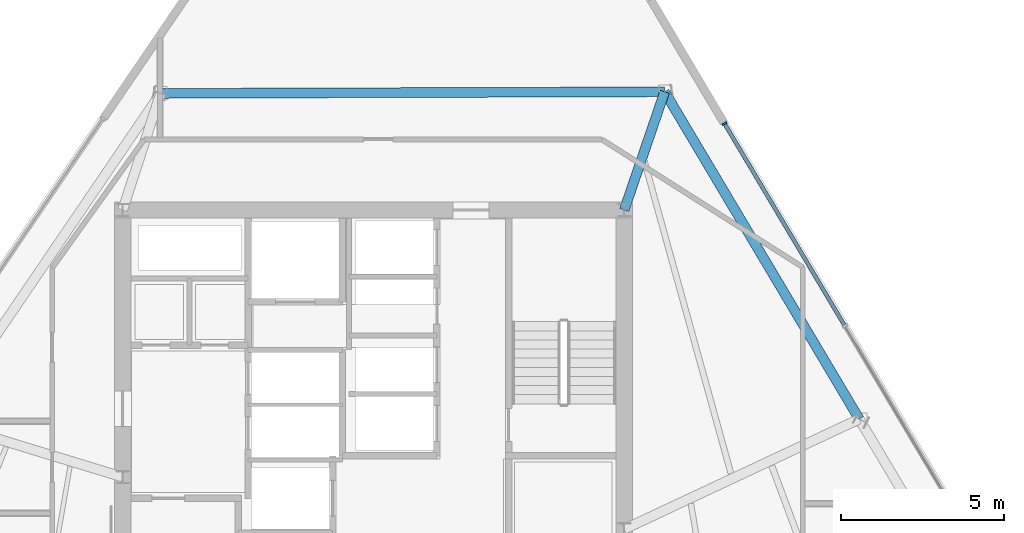
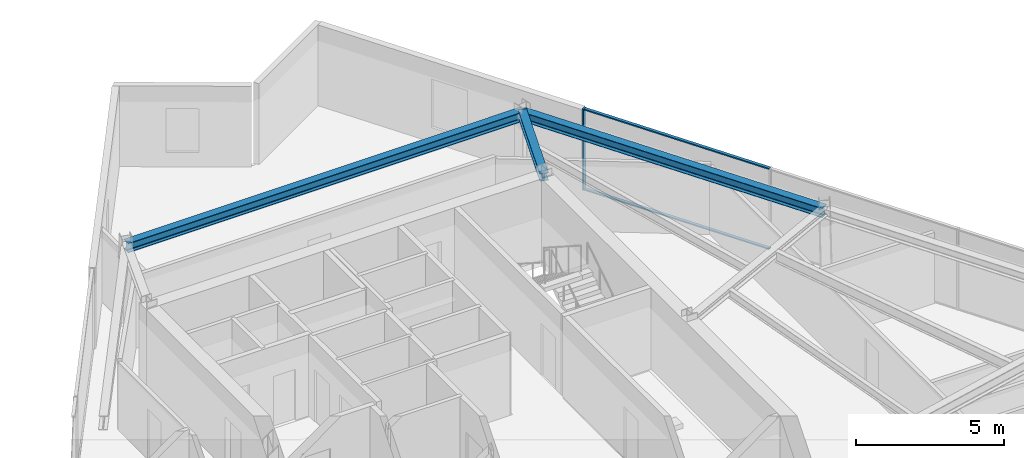
# One storey, part 6 of 15: 3 beams, 3 members, 1 element without a shape of its own.
"""IFC4 building model written with IfcOpenShell, lengths in metres."""

from ifc_helpers import new_model, si_unit, direction, frame, origin, origin_2d, place, context, subcontext, project, spatial, rectangle, i_section, extrude, material, material_profile, profile_set, type_object, element, aggregate, save


model = new_model("IFC4")

# Units and contexts
model_context = context("Model", 3, precision=1e-05, world=origin(), true_north=direction((0.0, 1.0)))
body_context = subcontext(model_context, "Body", "Model", "MODEL_VIEW")
ifc_project = project(units=[si_unit("LENGTHUNIT", "METRE"), si_unit("AREAUNIT", "SQUARE_METRE"), si_unit("VOLUMEUNIT", "CUBIC_METRE"), si_unit("PLANEANGLEUNIT", "RADIAN"), si_unit("MASSUNIT", "GRAM", prefix="KILO")], contexts=[model_context])

# Site, building, storey
site_placement = place(None, origin())
site = spatial("IfcSite", under=ifc_project, at=site_placement, CompositionType="ELEMENT")
building_placement = place(site_placement, origin())
building = spatial("IfcBuilding", under=site, at=building_placement, Name="Savorim Split Tower", CompositionType="ELEMENT")
storey_placement = place(building_placement, frame((0.0, 0.0, 194.699951171875)))
storey = spatial("IfcBuildingStorey", under=building, at=storey_placement, Name="L51", CompositionType="ELEMENT", Elevation=194.699951171875)

# Beams
ifc_material_1 = material(Name="Steel S355", Category="steel")
ifc_material_profile_1 = material_profile(ifc_material_1, i_section(OverallWidth=0.300048828125, OverallDepth=0.320068359375, WebThickness=0.011474609375, FlangeThickness=0.0205078125, FilletRadius=0.027099609375, at=origin_2d()), Name="HEB 320")
ifc_profile_set_1 = profile_set([ifc_material_profile_1], Name="Steel S355")
beam_type_1 = type_object("IfcBeamType", Name="BM-PRI-HEB320", PredefinedType="BEAM", material=ifc_profile_set_1)
beam_1_placement = place(storey_placement, frame((8.94189453125, 13.8291015625, 3.18994140625), z_axis=(-0.323779144922, -0.946132689063, 0.0), x_axis=(0.946132689063, -0.323779144922, 0.0)))
element("IfcBeam", 1, at=beam_1_placement, inside=storey, type_object=beam_type_1, Name="L51 Primary Floor Girder RG-07", PredefinedType="BEAM", context=body_context, shape_type="SweptSolid", body=[
    extrude(i_section(OverallWidth=0.300048828125, OverallDepth=0.320068359375, WebThickness=0.011474609375, FlangeThickness=0.0205078125, FilletRadius=0.027099609375, at=origin_2d()), origin(), (0.0, 0.0, 1.0), 3.835693359375),
])
ifc_material_profile_2 = material_profile(ifc_material_1, i_section(OverallWidth=0.300048828125, OverallDepth=0.389892578125, WebThickness=0.010986328125, FlangeThickness=0.01904296875, FilletRadius=0.027099609375, at=origin_2d()), Name="HEA 400")
ifc_profile_set_2 = profile_set([ifc_material_profile_2], Name="Steel S355")
beam_type_2 = type_object("IfcBeamType", Name="BM-SPN-HEA400", PredefinedType="SPANDREL", material=ifc_profile_set_2)
beam_2_placement = place(storey_placement, frame((14.915771484375, 3.782470703125, 3.155029296875), z_axis=(-0.511088321903, 0.85952820036, 0.0), x_axis=(-0.85952820036, -0.511088321903, 0.0)))
element("IfcBeam", 2, at=beam_2_placement, inside=storey, type_object=beam_type_2, Name="L51 Perimeter Spandrel Beam 6", PredefinedType="SPANDREL", context=body_context, shape_type="SweptSolid", body=[
    extrude(i_section(OverallWidth=0.300048828125, OverallDepth=0.389892578125, WebThickness=0.010986328125, FlangeThickness=0.01904296875, FilletRadius=0.027099609375, at=origin_2d()), origin(), (0.0, 0.0, 1.0), 11.6884765625),
])
beam_3_placement = place(storey_placement, frame((8.94189453125, 13.8291015625, 3.155029296875), z_axis=(-0.999995072601, -0.003139231428, 0.0), x_axis=(0.003139231428, -0.999995072601, 0.0)))
element("IfcBeam", 3, at=beam_3_placement, inside=storey, type_object=beam_type_2, Name="L51 Perimeter Spandrel Beam 7", PredefinedType="SPANDREL", context=body_context, shape_type="SweptSolid", body=[
    extrude(i_section(OverallWidth=0.300048828125, OverallDepth=0.389892578125, WebThickness=0.010986328125, FlangeThickness=0.01904296875, FilletRadius=0.027099609375, at=origin_2d()), origin(), (0.0, 0.0, 1.0), 15.476318359375),
])

# Curtain wall, members
ifc_material_2 = material(Name="Dark Ceramic-Fritted Insulated Glass", Category="glass")
curtain_wall_type = type_object("IfcCurtainWallType", Name="CW-TWR-FRIT-B", PredefinedType="NOTDEFINED", material=ifc_material_2)
curtain_wall_placement = place(storey_placement, origin())
curtain_wall = element("IfcCurtainWall", 4, at=curtain_wall_placement, inside=storey, type_object=curtain_wall_type, Name="L51 Curtain Wall CW-L51-EAST", PredefinedType="NOTDEFINED")
ifc_material_3 = material(Name="Charcoal Anodised Aluminium", Category="aluminium")
ifc_material_profile_3 = material_profile(ifc_material_3, rectangle(XDim=0.159912109375, YDim=0.06005859375, at=origin_2d()), Name="ALU-M 160x60")
ifc_profile_set_3 = profile_set([ifc_material_profile_3], Name="Charcoal Anodised Aluminium")
member_type_1 = type_object("IfcMemberType", Name="CWM-160x60", PredefinedType="MULLION", material=ifc_profile_set_3)
member_1_placement = place(storey_placement, frame((10.779296875, 12.853759765625, 0.0), z_axis=(0.0, 0.0, 1.0), x_axis=(-0.859525909056, -0.511092175308, 0.0)))
member_1 = element("IfcMember", 5, at=member_1_placement, type_object=member_type_1, Name="CW-03 mullion 5", PredefinedType="MULLION", context=body_context, shape_type="SweptSolid", body=[
    extrude(rectangle(XDim=0.159912109375, YDim=0.06005859375, at=origin_2d()), origin(), (0.0, 0.0, 1.0), 3.35009765625),
])
ifc_material_profile_4 = material_profile(ifc_material_3, rectangle(XDim=0.1201171875, YDim=0.050048828125, at=origin_2d()), Name="ALU-T 120x50")
ifc_profile_set_4 = profile_set([ifc_material_profile_4], Name="Charcoal Anodised Aluminium")
member_type_2 = type_object("IfcMemberType", Name="CWT-120x50", PredefinedType="USERDEFINED", material=ifc_profile_set_4)
member_2_placement = place(storey_placement, frame((14.4580078125, 6.667236328125, 0.025146484375), z_axis=(-0.511085594604, 0.859529822047, 0.0), x_axis=(-0.859529822047, -0.511085594604, 0.0)))
member_2 = element("IfcMember", 6, at=member_2_placement, type_object=member_type_2, Name="CW-03 transom 4.1", ObjectType="TRANSOM", PredefinedType="USERDEFINED", context=body_context, shape_type="SweptSolid", body=[
    extrude(rectangle(XDim=0.1201171875, YDim=0.050048828125, at=origin_2d()), origin(), (0.0, 0.0, 1.0), 7.167724609375),
])
member_3_placement = place(storey_placement, frame((14.4580078125, 6.667236328125, 3.324951171875), z_axis=(-0.511085594604, 0.859529822047, 0.0), x_axis=(-0.859529822047, -0.511085594604, 0.0)))
member_3 = element("IfcMember", 7, at=member_3_placement, type_object=member_type_2, Name="CW-03 transom 4.2", ObjectType="TRANSOM", PredefinedType="USERDEFINED", context=body_context, shape_type="SweptSolid", body=[
    extrude(rectangle(XDim=0.1201171875, YDim=0.050048828125, at=origin_2d()), origin(), (0.0, 0.0, 1.0), 7.167724609375),
])
aggregate(curtain_wall, [member_1, member_2, member_3])

save(model, "model.ifc")
